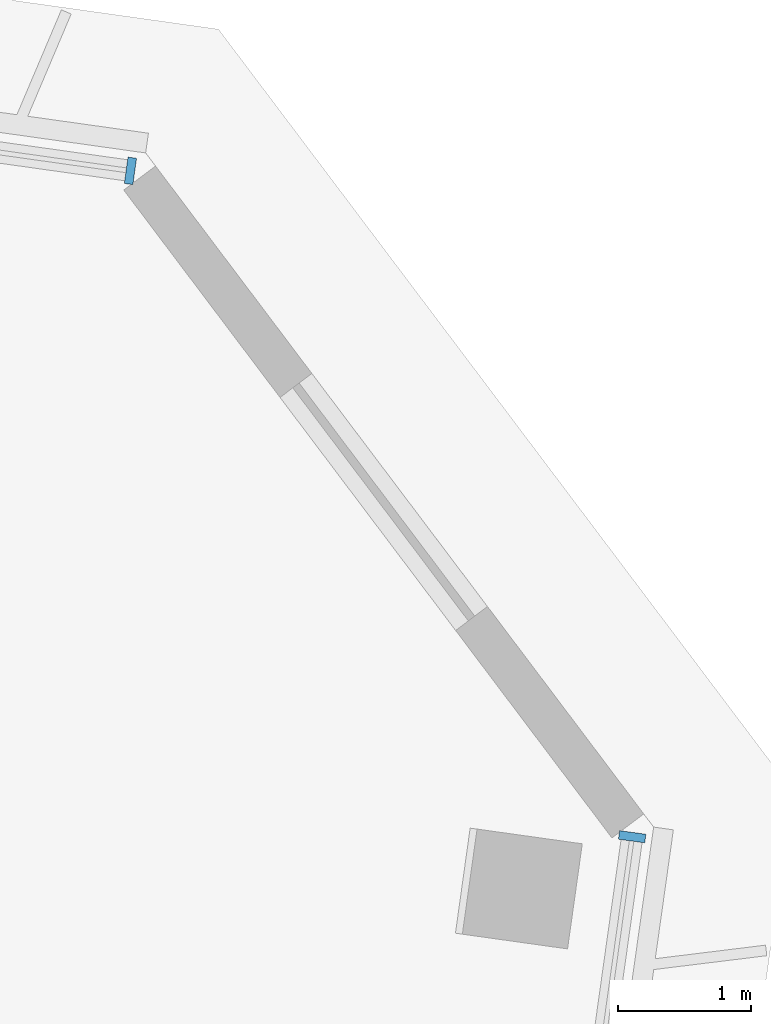
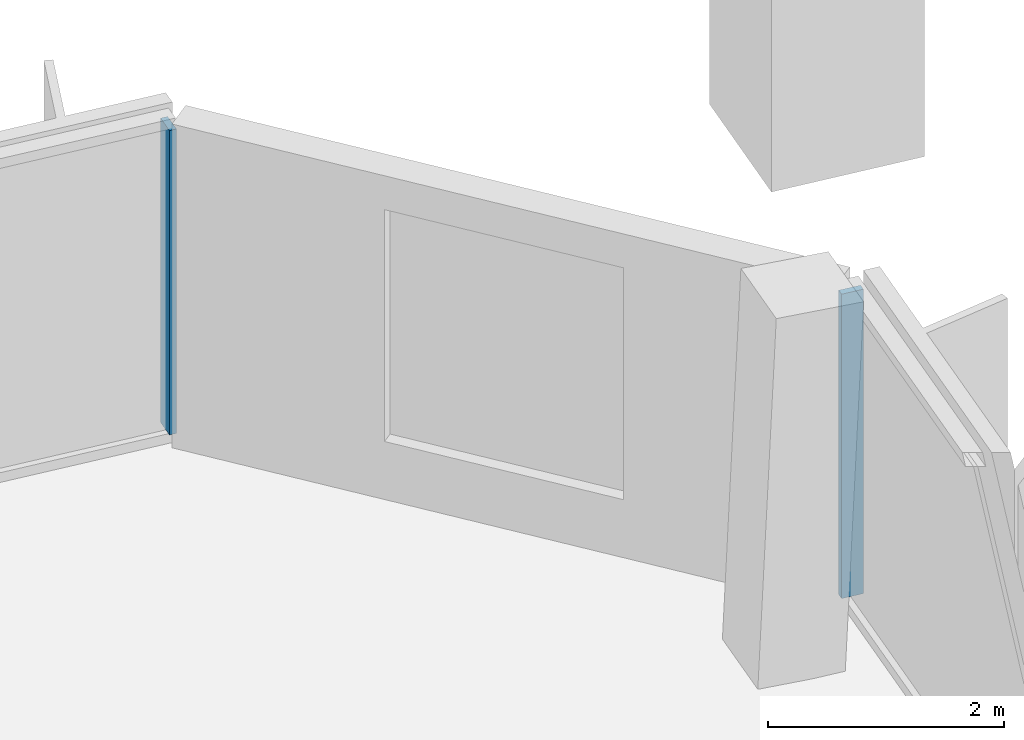
# One storey, part 8 of 25: 2 members, 2 elements without a shape of their own.
"""IFC4 building model written with IfcOpenShell, lengths in metres."""

from ifc_helpers import new_model, si_unit, direction, frame, origin, origin_2d, place, context, subcontext, project, spatial, rectangle, extrude, material, material_profile, profile_set, type_object, element, aggregate, save


model = new_model("IFC4")

# Units and contexts
model_context = context("Model", 3, precision=1e-05, world=origin(), true_north=direction((0.0, 1.0)))
body_context = subcontext(model_context, "Body", "Model", "MODEL_VIEW")
ifc_project = project(units=[si_unit("LENGTHUNIT", "METRE"), si_unit("AREAUNIT", "SQUARE_METRE"), si_unit("VOLUMEUNIT", "CUBIC_METRE"), si_unit("PLANEANGLEUNIT", "RADIAN"), si_unit("MASSUNIT", "GRAM", prefix="KILO")], contexts=[model_context])

# Site, building, storey
site_placement = place(None, origin())
site = spatial("IfcSite", under=ifc_project, at=site_placement, CompositionType="ELEMENT")
building_placement = place(site_placement, origin())
building = spatial("IfcBuilding", under=site, at=building_placement, Name="Mirante Cascada Hotel Towers", CompositionType="ELEMENT")
storey_placement = place(building_placement, frame((0.0, 0.0, 172.6)))
storey = spatial("IfcBuildingStorey", under=building, at=storey_placement, Name="L40", CompositionType="ELEMENT", Elevation=172.6)

# Curtain wall, member
ifc_material_1 = material(Name="Aluminium mullion and transom frame with clear laminated glass", Category="aluminium")
curtain_wall_type_1 = type_object("IfcCurtainWallType", Name="Ribbon curtain wall ECW1", PredefinedType="NOTDEFINED", material=ifc_material_1)
curtain_wall_1_placement = place(storey_placement, origin())
curtain_wall_1 = element("IfcCurtainWall", 1, at=curtain_wall_1_placement, inside=storey, type_object=curtain_wall_type_1, Name="Front ribbon wall T1 L40", PredefinedType="NOTDEFINED")
ifc_material_2 = material(Name="Anodised aluminium extrusion", Category="aluminium")
ifc_material_profile_1 = material_profile(ifc_material_2, rectangle(XDim=0.2, YDim=0.065, at=origin_2d()), Name="ECW1 MULLION 65x200")
ifc_profile_set_1 = profile_set([ifc_material_profile_1], Name="Anodised aluminium extrusion")
member_type_1 = type_object("IfcMemberType", Name="ECW1 mullion 65x200", PredefinedType="MULLION", material=ifc_profile_set_1)
member_1_placement = place(storey_placement, frame((-31.4247, 17.2355, 0.1), z_axis=(0.0, 0.0, 1.0), x_axis=(0.1391731, 0.9902681, 0.0)))
member_1 = element("IfcMember", 2, at=member_1_placement, type_object=member_type_1, Name="ECW1 mullion 13", PredefinedType="MULLION", context=body_context, shape_type="SweptSolid", body=[
    extrude(rectangle(XDim=0.2, YDim=0.065, at=origin_2d()), origin(), (0.0, 0.0, 1.0), 3.15),
])
aggregate(curtain_wall_1, [member_1])

ifc_material_3 = material(Name="Aluminium mullion and transom frame with clear laminated glass", Category="aluminium")
curtain_wall_type_2 = type_object("IfcCurtainWallType", Name="End ribbon curtain wall ECW2", PredefinedType="NOTDEFINED", material=ifc_material_3)
curtain_wall_2_placement = place(storey_placement, origin())
curtain_wall_2 = element("IfcCurtainWall", 3, at=curtain_wall_2_placement, inside=storey, type_object=curtain_wall_type_2, Name="Inner end wall T1 L40", PredefinedType="NOTDEFINED")
ifc_material_4 = material(Name="Anodised aluminium extrusion", Category="aluminium")
ifc_material_profile_2 = material_profile(ifc_material_4, rectangle(XDim=0.2, YDim=0.065, at=origin_2d()), Name="ECW2 MULLION 65x200")
ifc_profile_set_2 = profile_set([ifc_material_profile_2], Name="Anodised aluminium extrusion")
member_type_2 = type_object("IfcMemberType", Name="ECW2 mullion 65x200", PredefinedType="MULLION", material=ifc_profile_set_2)
member_2_placement = place(storey_placement, frame((-27.6419, 12.2155, 0.1), z_axis=(0.0, 0.0, 1.0), x_axis=(0.9902681, -0.1391731, 0.0)))
member_2 = element("IfcMember", 4, at=member_2_placement, type_object=member_type_2, Name="ECW2 mullion 1", PredefinedType="MULLION", context=body_context, shape_type="SweptSolid", body=[
    extrude(rectangle(XDim=0.2, YDim=0.065, at=origin_2d()), origin(), (0.0, 0.0, 1.0), 3.15),
])
aggregate(curtain_wall_2, [member_2])

save(model, "model.ifc")
